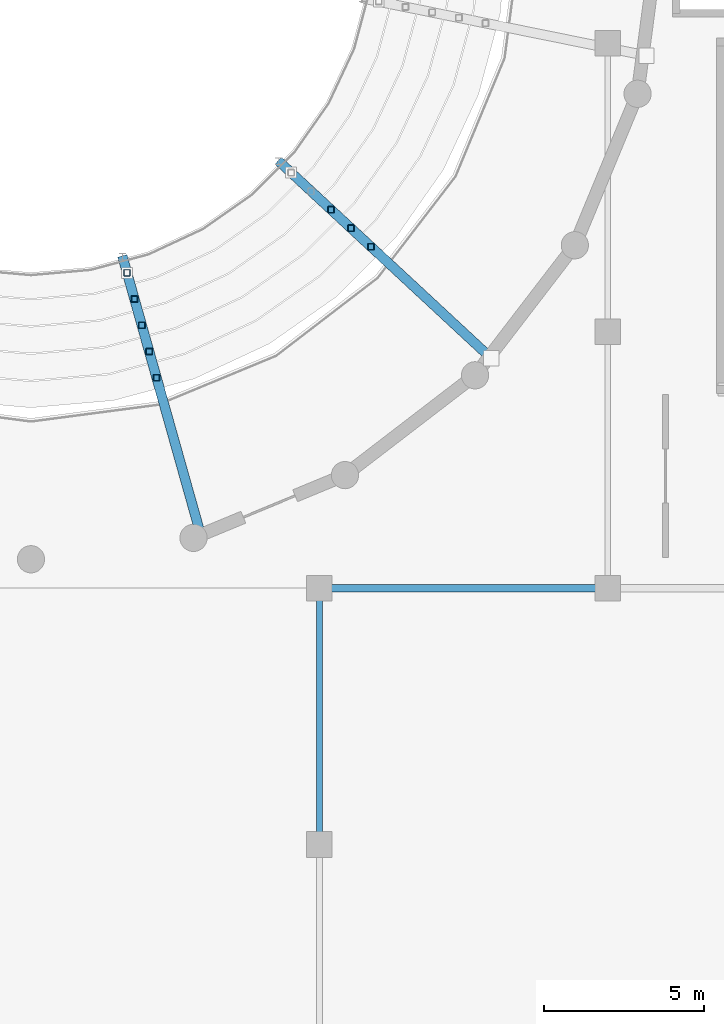
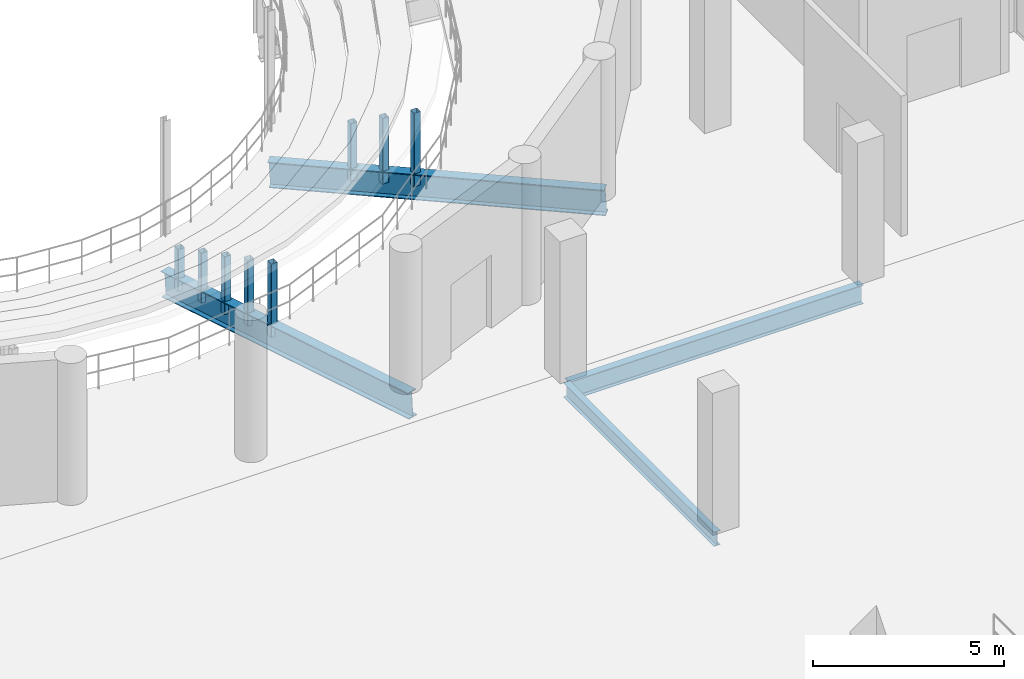
# One storey, part 35 of 93: 8 members, 4 beams.
"""IFC4 building model written with IfcOpenShell, lengths in metres."""

from ifc_helpers import new_model, si_unit, direction, frame, origin, origin_2d, place, context, subcontext, project, spatial, hollow_rectangle, i_section, extrude, material, material_profile, profile_set, type_object, element, save


model = new_model("IFC4")

# Units and contexts
model_context = context("Model", 3, precision=1e-05, world=origin(), true_north=direction((0.0, 1.0)))
body_context = subcontext(model_context, "Body", "Model", "MODEL_VIEW")
ifc_project = project(units=[si_unit("LENGTHUNIT", "METRE"), si_unit("AREAUNIT", "SQUARE_METRE"), si_unit("VOLUMEUNIT", "CUBIC_METRE"), si_unit("PLANEANGLEUNIT", "RADIAN"), si_unit("MASSUNIT", "GRAM", prefix="KILO")], contexts=[model_context])

# Site, building, storey
site_placement = place(None, origin())
site = spatial("IfcSite", under=ifc_project, at=site_placement, CompositionType="ELEMENT")
building_placement = place(site_placement, origin())
building = spatial("IfcBuilding", under=site, at=building_placement, Name="Marnock Terrace Opera House", CompositionType="ELEMENT")
storey_placement = place(building_placement, frame((0.0, 0.0, 5.39990234375)))
storey = spatial("IfcBuildingStorey", under=building, at=storey_placement, Name="L01", CompositionType="ELEMENT", Elevation=5.39990234375)

# Beams
ifc_material_1 = material(Name="Steel Grade 350 (AS/NZS 3679.1)", Category="steel")
ifc_material_profile_1 = material_profile(ifc_material_1, i_section(OverallWidth=0.18994140625, OverallDepth=0.45751953125, WebThickness=0.009033203125, FlangeThickness=0.014404296875, FilletRadius=0.011474609375, at=origin_2d()))
ifc_profile_set_1 = profile_set([ifc_material_profile_1], Name="Steel Grade 350 (AS/NZS 3679.1)")
beam_type_1 = type_object("IfcBeamType", Name="BM-GIRD-460B", PredefinedType="BEAM", material=ifc_profile_set_1)
beam_1_placement = place(storey_placement, frame((91.0, 32.050048828125, -0.508544921875), z_axis=(0.0, 1.0, 0.0), x_axis=(-1.0, 0.0, 0.0)))
element("IfcBeam", 1, at=beam_1_placement, inside=storey, type_object=beam_type_1, Name="L01 girder (X=91.0, 32.0..40.0)", PredefinedType="BEAM", context=body_context, shape_type="SweptSolid", body=[
    extrude(i_section(OverallWidth=0.18994140625, OverallDepth=0.45751953125, WebThickness=0.009033203125, FlangeThickness=0.014404296875, FilletRadius=0.011474609375, at=origin_2d()), origin(), (0.0, 0.0, 1.0), 7.89990234375),
])
ifc_material_profile_2 = material_profile(ifc_material_1, i_section(OverallWidth=0.22802734375, OverallDepth=0.60693359375, WebThickness=0.01123046875, FlangeThickness=0.017333984375, FilletRadius=0.013916015625, at=origin_2d()))
ifc_profile_set_2 = profile_set([ifc_material_profile_2], Name="Steel Grade 350 (AS/NZS 3679.1)")
beam_type_2 = type_object("IfcBeamType", Name="BM-GIRD-610B", PredefinedType="BEAM", material=ifc_profile_set_2)
beam_2_placement = place(storey_placement, frame((91.050048828125, 40.0, -0.58349609375), z_axis=(1.0, 0.0, 0.0), x_axis=(0.0, 1.0, 0.0)))
element("IfcBeam", 2, at=beam_2_placement, inside=storey, type_object=beam_type_2, Name="L01 girder (91.0..100.0, Y=40.0)", PredefinedType="BEAM", context=body_context, shape_type="SweptSolid", body=[
    extrude(i_section(OverallWidth=0.22802734375, OverallDepth=0.60693359375, WebThickness=0.01123046875, FlangeThickness=0.017333984375, FilletRadius=0.013916015625, at=origin_2d()), origin(), (0.0, 0.0, 1.0), 8.89990234375),
])
ifc_material_2 = material(Name="Steel Grade 350 Welded (AS/NZS 3679.2)", Category="steel")
ifc_material_profile_3 = material_profile(ifc_material_2, i_section(OverallWidth=0.300048828125, OverallDepth=0.81591796875, WebThickness=0.013916015625, FlangeThickness=0.028076171875, at=origin_2d()))
ifc_profile_set_3 = profile_set([ifc_material_profile_3], Name="Steel Grade 350 Welded (AS/NZS 3679.2)")
beam_type_3 = type_object("IfcBeamType", Name="BM-RAKER-800", PredefinedType="BEAM", material=ifc_profile_set_3)
beam_3_placement = place(storey_placement, frame((84.857421875, 50.34423828125, -1.23779296875), z_axis=(0.270420407323, -0.961096752439, 0.056265760049), x_axis=(0.962621711454, 0.270849479668, 0.0)))
element("IfcBeam", 3, at=beam_3_placement, inside=storey, type_object=beam_type_3, Name="L01 Auditorium raker girder 5", PredefinedType="BEAM", context=body_context, shape_type="SweptSolid", body=[
    extrude(i_section(OverallWidth=0.300048828125, OverallDepth=0.81591796875, WebThickness=0.013916015625, FlangeThickness=0.028076171875, at=origin_2d()), origin(), (0.0, 0.0, 1.0), 9.064208984375),
])
beam_4_placement = place(storey_placement, frame((89.733642578125, 53.32421875, -1.23779296875), z_axis=(0.73190120059, -0.679083865845, 0.056264871128), x_axis=(0.68016132476, 0.733062461391, 0.0)))
element("IfcBeam", 4, at=beam_4_placement, inside=storey, type_object=beam_type_3, Name="L01 Auditorium raker girder 6", PredefinedType="BEAM", context=body_context, shape_type="SweptSolid", body=[
    extrude(i_section(OverallWidth=0.300048828125, OverallDepth=0.81591796875, WebThickness=0.013916015625, FlangeThickness=0.028076171875, at=origin_2d()), origin(), (0.0, 0.0, 1.0), 9.064453125),
])

# Members
ifc_material_3 = material(Name="Cold-formed Steel Grade C350L0 (AS/NZS 1163)", Category="steel")
ifc_material_profile_4 = material_profile(ifc_material_3, hollow_rectangle(XDim=0.199951171875, YDim=0.199951171875, WallThickness=0.009033203125, InnerFilletRadius=0.009033203125, OuterFilletRadius=0.01806640625, at=origin_2d()))
ifc_profile_set_4 = profile_set([ifc_material_profile_4], Name="Cold-formed Steel Grade C350L0 (AS/NZS 1163)")
member_type = type_object("IfcMemberType", Name="MEM-TRUSS-WEB2", PredefinedType="BRACE", material=ifc_profile_set_4)
member_1_placement = place(storey_placement, frame((84.99951171875, 49.8388671875, -1.208251953125), z_axis=(0.0, 0.0, 1.0), x_axis=(1.0, 0.0, 0.0)))
element("IfcMember", 5, at=member_1_placement, inside=storey, type_object=member_type, Name="L01 Auditorium tier support post 5.1", PredefinedType="BRACE", context=body_context, shape_type="SweptSolid", body=[
    extrude(hollow_rectangle(XDim=0.199951171875, YDim=0.199951171875, WallThickness=0.009033203125, InnerFilletRadius=0.009033203125, OuterFilletRadius=0.01806640625, at=origin_2d()), origin(), (0.0, 0.0, 1.0), 1.34326171875),
])
member_2_placement = place(storey_placement, frame((85.229736328125, 49.020751953125, -1.160400390625), z_axis=(0.0, 0.0, 1.0), x_axis=(1.0, 0.0, 0.0)))
element("IfcMember", 6, at=member_2_placement, inside=storey, type_object=member_type, Name="L01 Auditorium tier support post 5.2", PredefinedType="BRACE", context=body_context, shape_type="SweptSolid", body=[
    extrude(hollow_rectangle(XDim=0.199951171875, YDim=0.199951171875, WallThickness=0.009033203125, InnerFilletRadius=0.009033203125, OuterFilletRadius=0.01806640625, at=origin_2d()), origin(), (0.0, 0.0, 1.0), 1.595458984375),
])
member_3_placement = place(storey_placement, frame((85.4599609375, 48.202392578125, -1.112548828125), z_axis=(0.0, 0.0, 1.0), x_axis=(1.0, 0.0, 0.0)))
element("IfcMember", 7, at=member_3_placement, inside=storey, type_object=member_type, Name="L01 Auditorium tier support post 5.3", PredefinedType="BRACE", context=body_context, shape_type="SweptSolid", body=[
    extrude(hollow_rectangle(XDim=0.199951171875, YDim=0.199951171875, WallThickness=0.009033203125, InnerFilletRadius=0.009033203125, OuterFilletRadius=0.01806640625, at=origin_2d()), origin(), (0.0, 0.0, 1.0), 1.84765625),
])
member_4_placement = place(storey_placement, frame((85.690185546875, 47.38427734375, -1.064697265625), z_axis=(0.0, 0.0, 1.0), x_axis=(1.0, 0.0, 0.0)))
element("IfcMember", 8, at=member_4_placement, inside=storey, type_object=member_type, Name="L01 Auditorium tier support post 5.4", PredefinedType="BRACE", context=body_context, shape_type="SweptSolid", body=[
    extrude(hollow_rectangle(XDim=0.199951171875, YDim=0.199951171875, WallThickness=0.009033203125, InnerFilletRadius=0.009033203125, OuterFilletRadius=0.01806640625, at=origin_2d()), origin(), (0.0, 0.0, 1.0), 2.099853515625),
])
member_5_placement = place(storey_placement, frame((85.92041015625, 46.56591796875, -1.0166015625), z_axis=(0.0, 0.0, 1.0), x_axis=(1.0, 0.0, 0.0)))
element("IfcMember", 9, at=member_5_placement, inside=storey, type_object=member_type, Name="L01 Auditorium tier support post 5.5", PredefinedType="BRACE", context=body_context, shape_type="SweptSolid", body=[
    extrude(hollow_rectangle(XDim=0.199951171875, YDim=0.199951171875, WallThickness=0.009033203125, InnerFilletRadius=0.009033203125, OuterFilletRadius=0.01806640625, at=origin_2d()), origin(), (0.0, 0.0, 1.0), 2.351806640625),
])
member_6_placement = place(storey_placement, frame((91.36474609375, 51.810791015625, -1.112548828125), z_axis=(0.0, 0.0, 1.0), x_axis=(1.0, 0.0, 0.0)))
element("IfcMember", 10, at=member_6_placement, inside=storey, type_object=member_type, Name="L01 Auditorium tier support post 6.3", PredefinedType="BRACE", context=body_context, shape_type="SweptSolid", body=[
    extrude(hollow_rectangle(XDim=0.199951171875, YDim=0.199951171875, WallThickness=0.009033203125, InnerFilletRadius=0.009033203125, OuterFilletRadius=0.01806640625, at=origin_2d()), origin(), (0.0, 0.0, 1.0), 1.84765625),
])
member_7_placement = place(storey_placement, frame((91.98779296875, 51.232666015625, -1.064697265625), z_axis=(0.0, 0.0, 1.0), x_axis=(1.0, 0.0, 0.0)))
element("IfcMember", 11, at=member_7_placement, inside=storey, type_object=member_type, Name="L01 Auditorium tier support post 6.4", PredefinedType="BRACE", context=body_context, shape_type="SweptSolid", body=[
    extrude(hollow_rectangle(XDim=0.199951171875, YDim=0.199951171875, WallThickness=0.009033203125, InnerFilletRadius=0.009033203125, OuterFilletRadius=0.01806640625, at=origin_2d()), origin(), (0.0, 0.0, 1.0), 2.099853515625),
])
member_8_placement = place(storey_placement, frame((92.61083984375, 50.654541015625, -1.0166015625), z_axis=(0.0, 0.0, 1.0), x_axis=(1.0, 0.0, 0.0)))
element("IfcMember", 12, at=member_8_placement, inside=storey, type_object=member_type, Name="L01 Auditorium tier support post 6.5", PredefinedType="BRACE", context=body_context, shape_type="SweptSolid", body=[
    extrude(hollow_rectangle(XDim=0.199951171875, YDim=0.199951171875, WallThickness=0.009033203125, InnerFilletRadius=0.009033203125, OuterFilletRadius=0.01806640625, at=origin_2d()), origin(), (0.0, 0.0, 1.0), 2.351806640625),
])

save(model, "model.ifc")
